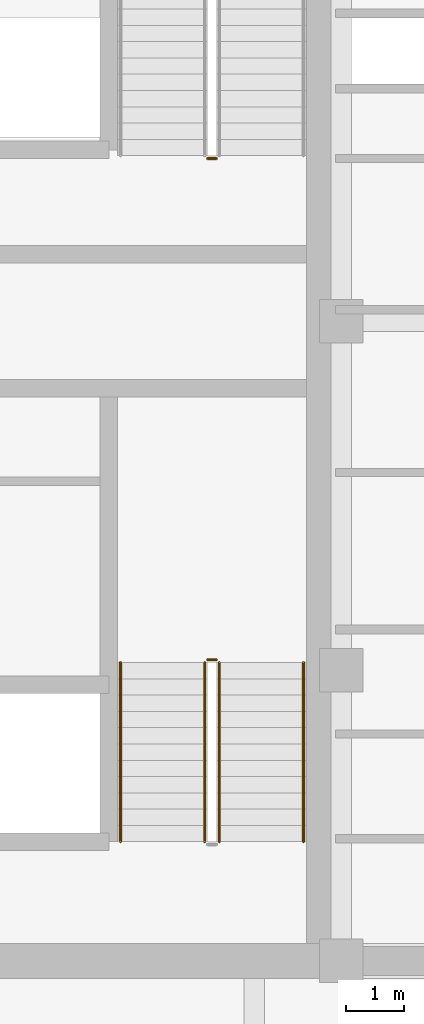
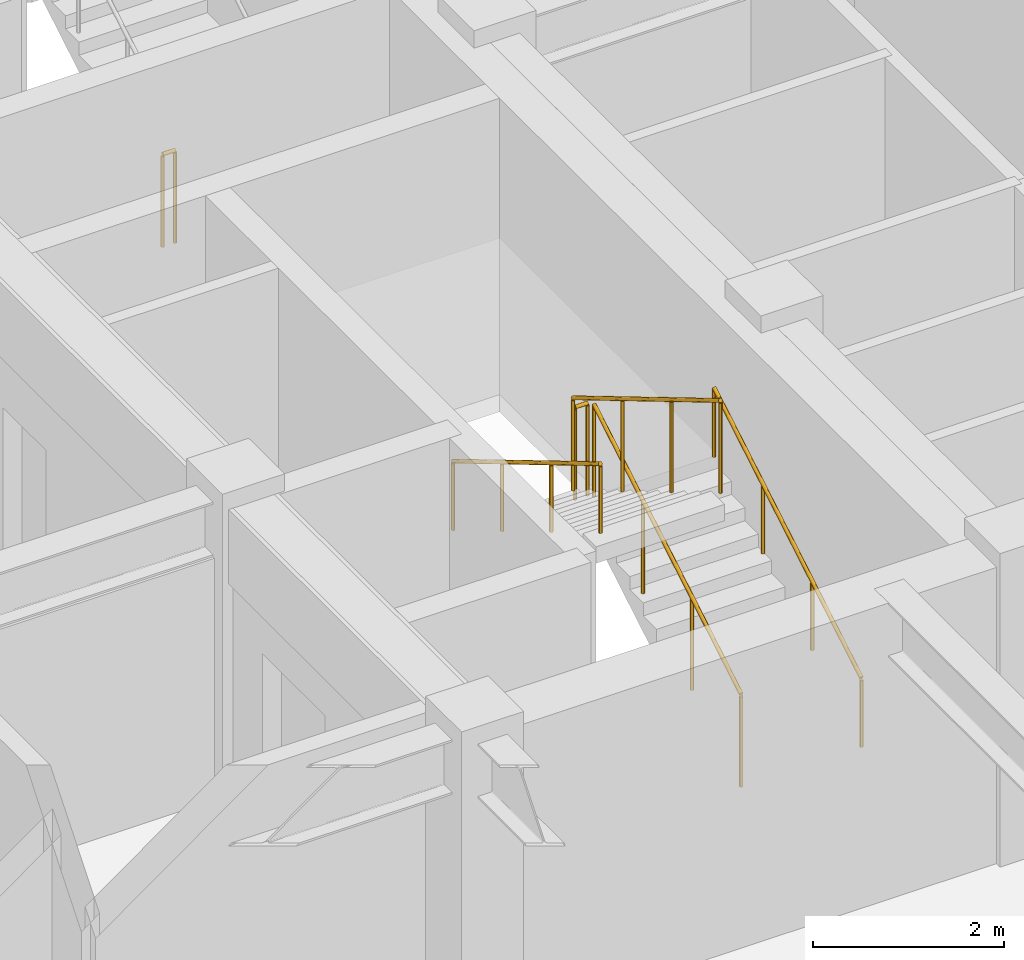
# One storey, part 24 of 27: 6 railings.
"""IFC4 building model written with IfcOpenShell, lengths in metres."""

from ifc_helpers import new_model, si_unit, direction, frame, origin, origin_2d, place, context, subcontext, project, spatial, circle, extrude, source, transform, mapped, material, type_object, element, save


model = new_model("IFC4")

# Units and contexts
model_context = context("Model", 3, precision=1e-05, world=origin(), true_north=direction((0.0, 1.0)))
body_context = subcontext(model_context, "Body", "Model", "MODEL_VIEW")
ifc_project = project(units=[si_unit("LENGTHUNIT", "METRE"), si_unit("AREAUNIT", "SQUARE_METRE"), si_unit("VOLUMEUNIT", "CUBIC_METRE"), si_unit("PLANEANGLEUNIT", "RADIAN"), si_unit("MASSUNIT", "GRAM", prefix="KILO")], contexts=[model_context])

# Site, building, storey
site_placement = place(None, origin())
site = spatial("IfcSite", under=ifc_project, at=site_placement, CompositionType="ELEMENT")
building_placement = place(site_placement, origin())
building = spatial("IfcBuilding", under=site, at=building_placement, Name="Khorayat Bourse Tower", CompositionType="ELEMENT")
storey_placement = place(building_placement, frame((0.0, 0.0, 281.5)))
storey = spatial("IfcBuildingStorey", under=building, at=storey_placement, Name="L66", CompositionType="ELEMENT", Elevation=281.5)

# Railings
ifc_material_1 = material(Name="Powder-coated steel balustrade", Category="steel")
railing_type_1 = type_object("IfcRailingType", Name="RLG-GUARD-1200", PredefinedType="GUARDRAIL", material=ifc_material_1)
shared_shape_1 = source(origin(), body_context, "Body", "SweptSolid", [
    extrude(circle(Radius=0.02392578125, at=origin_2d()), frame((0.0, 0.0, 1.17578125), z_axis=(-1.0, 0.0, 0.0), x_axis=(0.0, -1.0, 0.0)), (0.0, 0.0, 1.0), 0.150146484375),
    extrude(circle(Radius=0.02099609375, at=origin_2d()), origin(), (0.0, 0.0, 1.0), 1.15185546875),
    extrude(circle(Radius=0.02099609375, at=origin_2d()), frame((-0.150146484375, 0.0, 0.0)), (0.0, 0.0, 1.0), 1.15185546875),
])
for number, where, name in (
    (1, (-6.64990234375, -5.820068359375, 2.0), "L66 ST-1 stair guard 2"),
    (2, (-6.64990234375, 2.800048828125, 0.0), "L66 ST-2 stair guard 4"),
):
    element("IfcRailing", number, at=place(storey_placement, frame(where)), inside=storey, type_object=railing_type_1, Name=name, PredefinedType="GUARDRAIL", context=body_context, shape_type="MappedRepresentation", body=[
        mapped(shared_shape_1, transform((0.0, 0.0, 0.0), scale=1.0)),
    ])
shared_shape_2 = source(origin(), body_context, "Body", "SweptSolid", [
    extrude(circle(Radius=0.02392578125, at=origin_2d()), frame((0.0, 0.0, 1.17578125), z_axis=(0.0, 0.859290745958, 0.51148745235), x_axis=(-1.0, 0.0, 0.0)), (0.0, 0.0, 1.0), 3.584228515625),
    extrude(circle(Radius=0.02099609375, at=origin_2d()), origin(), (0.0, 0.0, 1.0), 1.15185546875),
    extrude(circle(Radius=0.02099609375, at=origin_2d()), frame((0.0, 1.026611328125, 0.611083984375)), (0.0, 0.0, 1.0), 1.15185546875),
    extrude(circle(Radius=0.02099609375, at=origin_2d()), frame((0.0, 2.05322265625, 1.22216796875)), (0.0, 0.0, 1.0), 1.15185546875),
    extrude(circle(Radius=0.02099609375, at=origin_2d()), frame((0.0, 3.079833984375, 1.833251953125)), (0.0, 0.0, 1.0), 1.15185546875),
])
railing_1_placement = place(storey_placement, frame((-6.60009765625, -8.949951171875, 0.166748046875)))
element("IfcRailing", 3, at=railing_1_placement, inside=storey, type_object=railing_type_1, Name="L66 ST-1 stair guard 1", PredefinedType="GUARDRAIL", context=body_context, shape_type="MappedRepresentation", body=[
    mapped(shared_shape_2, transform((0.0, 0.0, 0.0), scale=1.0)),
])
shared_shape_3 = source(origin(), body_context, "Body", "SweptSolid", [
    extrude(circle(Radius=0.02392578125, at=origin_2d()), frame((0.0, 0.0, 1.17578125), z_axis=(0.0, -0.859290745958, 0.51148745235), x_axis=(1.0, 0.0, 0.0)), (0.0, 0.0, 1.0), 3.584228515625),
    extrude(circle(Radius=0.02099609375, at=origin_2d()), origin(), (0.0, 0.0, 1.0), 1.15185546875),
    extrude(circle(Radius=0.02099609375, at=origin_2d()), frame((0.0, -1.026611328125, 0.611083984375)), (0.0, 0.0, 1.0), 1.15185546875),
    extrude(circle(Radius=0.02099609375, at=origin_2d()), frame((0.0, -2.05322265625, 1.22216796875)), (0.0, 0.0, 1.0), 1.15185546875),
    extrude(circle(Radius=0.02099609375, at=origin_2d()), frame((0.0, -3.079833984375, 1.833251953125)), (0.0, 0.0, 1.0), 1.15185546875),
])
railing_2_placement = place(storey_placement, frame((-6.85009765625, -5.8701171875, 2.166748046875)))
element("IfcRailing", 4, at=railing_2_placement, inside=storey, type_object=railing_type_1, Name="L66 ST-1 stair guard 3", PredefinedType="GUARDRAIL", context=body_context, shape_type="MappedRepresentation", body=[
    mapped(shared_shape_3, transform((0.0, 0.0, 0.0), scale=1.0)),
])
ifc_material_2 = material(Name="Brushed bronze stainless-steel handrail", Category="steel")
railing_type_2 = type_object("IfcRailingType", Name="RLG-HAND-900", PredefinedType="HANDRAIL", material=ifc_material_2)
shared_shape_4 = source(origin(), body_context, "Body", "SweptSolid", [
    extrude(circle(Radius=0.02392578125, at=origin_2d()), frame((0.0, 0.0, 0.8759765625), z_axis=(0.0, 0.859290745958, 0.51148745235), x_axis=(-1.0, 0.0, 0.0)), (0.0, 0.0, 1.0), 3.584228515625),
    extrude(circle(Radius=0.02099609375, at=origin_2d()), origin(), (0.0, 0.0, 1.0), 0.851806640625),
    extrude(circle(Radius=0.02099609375, at=origin_2d()), frame((0.0, 1.026611328125, 0.611083984375)), (0.0, 0.0, 1.0), 0.851806640625),
    extrude(circle(Radius=0.02099609375, at=origin_2d()), frame((0.0, 2.05322265625, 1.22216796875)), (0.0, 0.0, 1.0), 0.851806640625),
    extrude(circle(Radius=0.02099609375, at=origin_2d()), frame((0.0, 3.079833984375, 1.833251953125)), (0.0, 0.0, 1.0), 0.851806640625),
])
railing_3_placement = place(storey_placement, frame((-5.14990234375, -8.949951171875, 0.166748046875)))
element("IfcRailing", 5, at=railing_3_placement, inside=storey, type_object=railing_type_2, Name="L66 ST-1 stair handrail 1", PredefinedType="HANDRAIL", context=body_context, shape_type="MappedRepresentation", body=[
    mapped(shared_shape_4, transform((0.0, 0.0, 0.0), scale=1.0)),
])
shared_shape_5 = source(origin(), body_context, "Body", "SweptSolid", [
    extrude(circle(Radius=0.02392578125, at=origin_2d()), frame((0.0, 0.0, 0.8759765625), z_axis=(0.0, -0.859290745958, 0.51148745235), x_axis=(1.0, 0.0, 0.0)), (0.0, 0.0, 1.0), 3.584228515625),
    extrude(circle(Radius=0.02099609375, at=origin_2d()), origin(), (0.0, 0.0, 1.0), 0.851806640625),
    extrude(circle(Radius=0.02099609375, at=origin_2d()), frame((0.0, -1.026611328125, 0.611083984375)), (0.0, 0.0, 1.0), 0.851806640625),
    extrude(circle(Radius=0.02099609375, at=origin_2d()), frame((0.0, -2.05322265625, 1.22216796875)), (0.0, 0.0, 1.0), 0.851806640625),
    extrude(circle(Radius=0.02099609375, at=origin_2d()), frame((0.0, -3.079833984375, 1.833251953125)), (0.0, 0.0, 1.0), 0.851806640625),
])
railing_4_placement = place(storey_placement, frame((-8.300048828125, -5.8701171875, 2.166748046875)))
element("IfcRailing", 6, at=railing_4_placement, inside=storey, type_object=railing_type_2, Name="L66 ST-1 stair handrail 2", PredefinedType="HANDRAIL", context=body_context, shape_type="MappedRepresentation", body=[
    mapped(shared_shape_5, transform((0.0, 0.0, 0.0), scale=1.0)),
])

save(model, "model.ifc")
